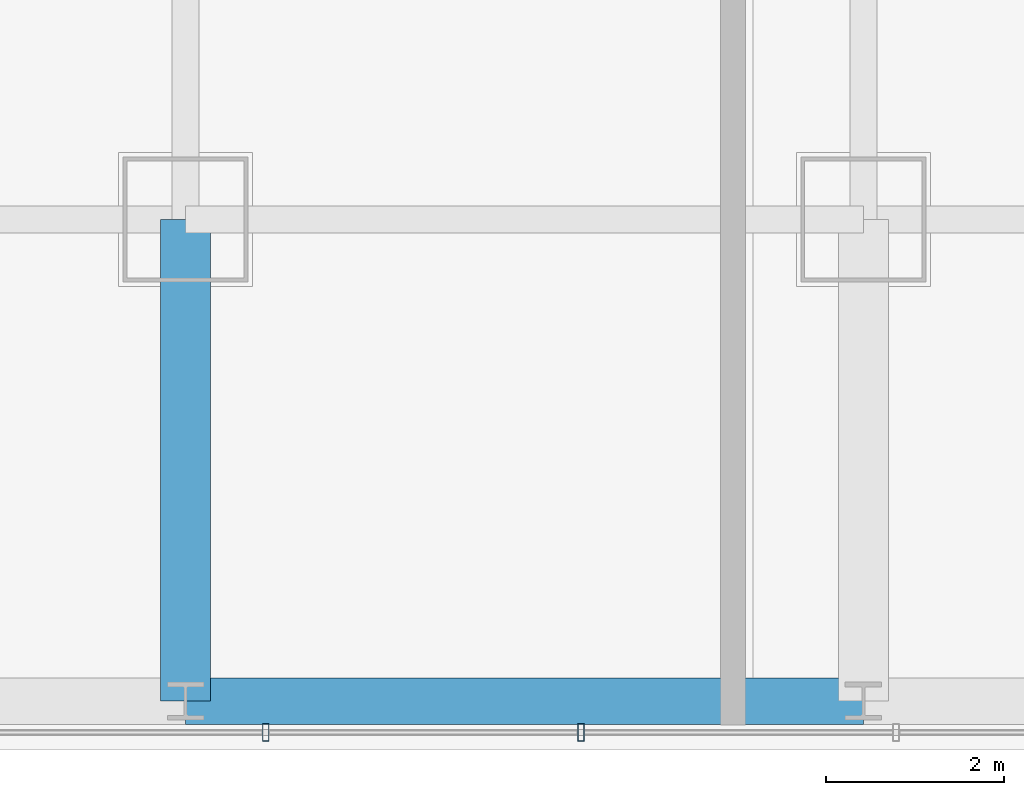
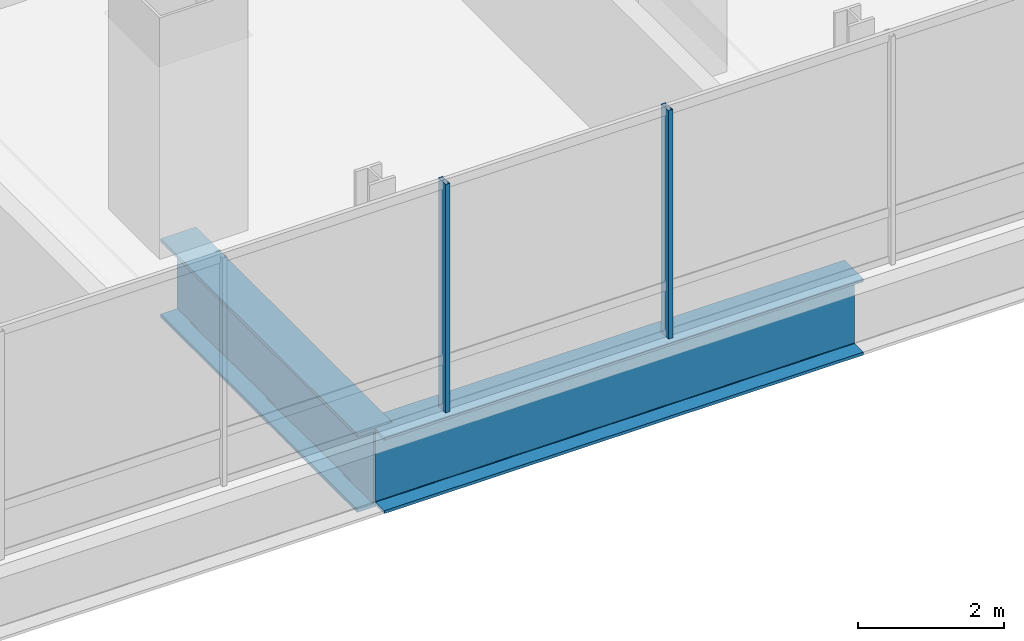
# One storey, part 5 of 35: 2 beams, 2 members, 1 element without a shape of its own.
"""IFC4 building model written with IfcOpenShell, lengths in metres."""

from ifc_helpers import new_model, si_unit, direction, frame, origin, origin_2d, place, context, subcontext, project, spatial, hollow_rectangle, i_section, extrude, material, material_profile, profile_set, type_object, element, aggregate, save


model = new_model("IFC4")

# Units and contexts
model_context = context("Model", 3, precision=1e-05, world=origin(), true_north=direction((0.0, 1.0)))
body_context = subcontext(model_context, "Body", "Model", "MODEL_VIEW")
ifc_project = project(units=[si_unit("LENGTHUNIT", "METRE"), si_unit("AREAUNIT", "SQUARE_METRE"), si_unit("VOLUMEUNIT", "CUBIC_METRE"), si_unit("PLANEANGLEUNIT", "RADIAN"), si_unit("MASSUNIT", "GRAM", prefix="KILO")], contexts=[model_context])

# Site, building, storey
site_placement = place(None, origin())
site = spatial("IfcSite", under=ifc_project, at=site_placement, CompositionType="ELEMENT")
building_placement = place(site_placement, origin())
building = spatial("IfcBuilding", under=site, at=building_placement, Name="Punatoya Terracotta Tower", CompositionType="ELEMENT")
storey_placement = place(building_placement, frame((0.0, 0.0, 216.75)))
storey = spatial("IfcBuildingStorey", under=building, at=storey_placement, Name="L51", CompositionType="ELEMENT", Elevation=216.75)

# Beams
ifc_material_1 = material(Name="Steel S460", Category="steel")
ifc_material_profile_1 = material_profile(ifc_material_1, i_section(OverallWidth=0.56005859375, OverallDepth=1.320068359375, WebThickness=0.035888671875, FlangeThickness=0.054931640625, FilletRadius=0.01806640625, at=origin_2d()))
ifc_profile_set_1 = profile_set([ifc_material_profile_1], Name="Steel S460")
beam_type_1 = type_object("IfcBeamType", Name="BM-TG-BLK", PredefinedType="BEAM", material=ifc_profile_set_1)
beam_1_placement = place(storey_placement, frame((-3.800048828125, -22.89990234375, -0.8798828125), z_axis=(0.0, 1.0, 0.0), x_axis=(-1.0, 0.0, 0.0)))
element("IfcBeam", 1, at=beam_1_placement, inside=storey, type_object=beam_type_1, Name="BM-L51-CANT-S2", PredefinedType="BEAM", context=body_context, shape_type="SweptSolid", body=[
    extrude(i_section(OverallWidth=0.56005859375, OverallDepth=1.320068359375, WebThickness=0.035888671875, FlangeThickness=0.054931640625, FilletRadius=0.01806640625, at=origin_2d()), origin(), (0.0, 0.0, 1.0), 5.39990234375),
])
ifc_material_profile_2 = material_profile(ifc_material_1, i_section(OverallWidth=0.52001953125, OverallDepth=1.280029296875, WebThickness=0.031982421875, FlangeThickness=0.050048828125, FilletRadius=0.01806640625, at=origin_2d()))
ifc_profile_set_2 = profile_set([ifc_material_profile_2], Name="Steel S460")
beam_type_2 = type_object("IfcBeamType", Name="BM-TG-NCK", PredefinedType="BEAM", material=ifc_profile_set_2)
beam_2_placement = place(storey_placement, frame((-3.800048828125, -22.89990234375, -0.860107421875), z_axis=(1.0, 0.0, 0.0), x_axis=(0.0, 1.0, 0.0)))
element("IfcBeam", 2, at=beam_2_placement, inside=storey, type_object=beam_type_2, Name="BM-L51-PER-S2", PredefinedType="BEAM", context=body_context, shape_type="SweptSolid", body=[
    extrude(i_section(OverallWidth=0.52001953125, OverallDepth=1.280029296875, WebThickness=0.031982421875, FlangeThickness=0.050048828125, FilletRadius=0.01806640625, at=origin_2d()), origin(), (0.0, 0.0, 1.0), 7.60009765625),
])

# Curtain wall, members
ifc_material_2 = material(Name="Aluminium 6063-T6 + Double Low-E Glass", Category="aluminium")
curtain_wall_type = type_object("IfcCurtainWallType", Name="CW-M2", PredefinedType="NOTDEFINED", material=ifc_material_2)
curtain_wall_placement = place(storey_placement, origin())
curtain_wall = element("IfcCurtainWall", 3, at=curtain_wall_placement, inside=storey, type_object=curtain_wall_type, Name="L51 Curtain Wall CW-L51-S01-1", PredefinedType="NOTDEFINED")
ifc_material_3 = material(Name="Aluminium 6063-T6", Category="aluminium")
ifc_material_profile_3 = material_profile(ifc_material_3, hollow_rectangle(XDim=0.072021484375, YDim=0.195068359375, WallThickness=0.00439453125, at=origin_2d()))
ifc_profile_set_3 = profile_set([ifc_material_profile_3], Name="Aluminium 6063-T6")
member_type = type_object("IfcMemberType", Name="CW-MUL-M2", PredefinedType="MULLION", material=ifc_profile_set_3)
member_1_placement = place(storey_placement, frame((-2.90087890625, -23.25, 0.0), z_axis=(0.0, 0.0, 1.0), x_axis=(1.0, 0.0, 0.0)))
member_1 = element("IfcMember", 4, at=member_1_placement, type_object=member_type, Name="CW-L51-S01-1 Mullion 04", PredefinedType="MULLION", context=body_context, shape_type="SweptSolid", body=[
    extrude(hollow_rectangle(XDim=0.072021484375, YDim=0.195068359375, WallThickness=0.00439453125, at=origin_2d()), origin(), (0.0, 0.0, 1.0), 3.830078125),
])
member_2_placement = place(storey_placement, frame((0.633056640625, -23.25, 0.0), z_axis=(0.0, 0.0, 1.0), x_axis=(1.0, 0.0, 0.0)))
member_2 = element("IfcMember", 5, at=member_2_placement, type_object=member_type, Name="CW-L51-S01-1 Mullion 05", PredefinedType="MULLION", context=body_context, shape_type="SweptSolid", body=[
    extrude(hollow_rectangle(XDim=0.072021484375, YDim=0.195068359375, WallThickness=0.00439453125, at=origin_2d()), origin(), (0.0, 0.0, 1.0), 3.830078125),
])
aggregate(curtain_wall, [member_1, member_2])

save(model, "model.ifc")
